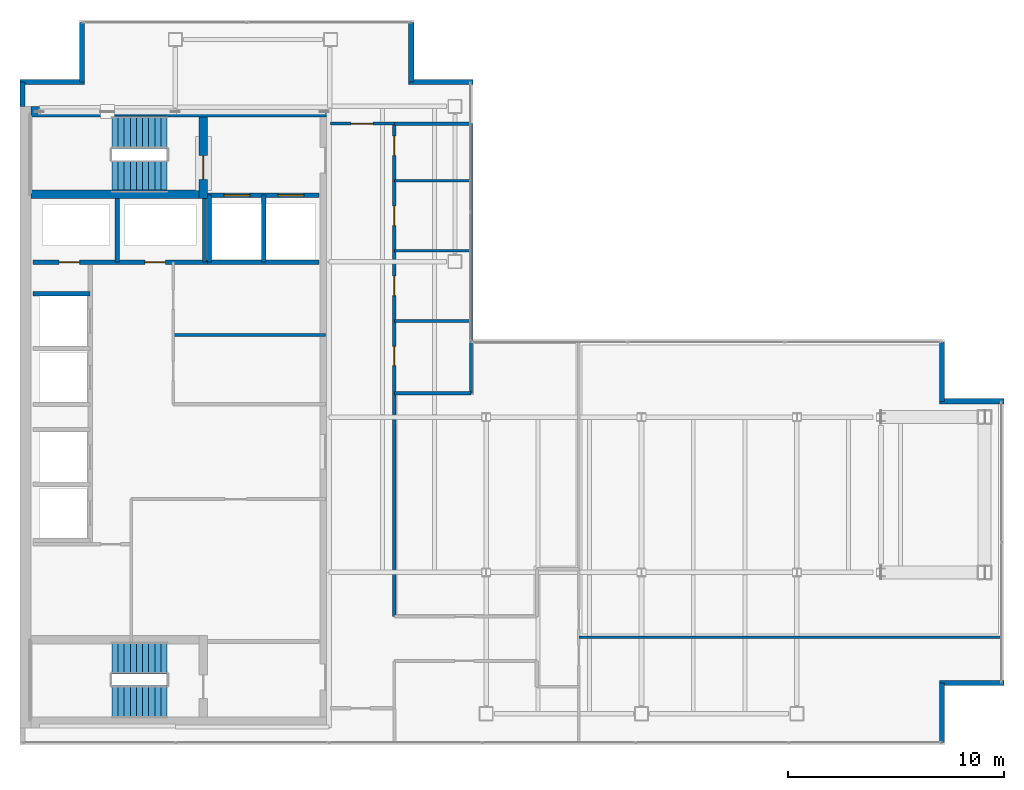
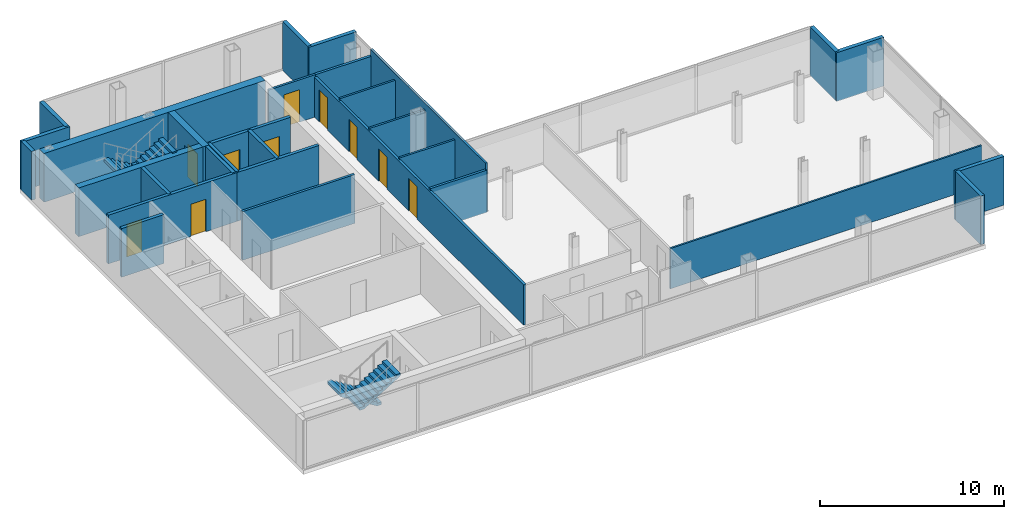
# One storey, part 23 of 24: 30 walls, 10 doors, 4 stair flights, 10 openings, 2 elements without a shape of their own.
"""IFC4 building model written with IfcOpenShell, lengths in metres."""

from ifc_helpers import new_model, si_unit, direction, frame, frame_2d, origin, place, context, subcontext, project, spatial, polyline, rectangle, outline, extrude, material, layer, layer_set, type_object, element, fill, aggregate, save


model = new_model("IFC4")

# Units and contexts
model_context = context("Model", 3, precision=1e-05, world=origin(), true_north=direction((0.0, 1.0)))
body_context = subcontext(model_context, "Body", "Model", "MODEL_VIEW")
ifc_project = project(units=[si_unit("LENGTHUNIT", "METRE"), si_unit("AREAUNIT", "SQUARE_METRE"), si_unit("VOLUMEUNIT", "CUBIC_METRE"), si_unit("PLANEANGLEUNIT", "RADIAN"), si_unit("MASSUNIT", "GRAM", prefix="KILO")], contexts=[model_context])

# Site, building, storey
site_placement = place(None, origin())
site = spatial("IfcSite", under=ifc_project, at=site_placement, CompositionType="ELEMENT")
building_placement = place(site_placement, origin())
building = spatial("IfcBuilding", under=site, at=building_placement, Name="Cobrela Telecom Tower", CompositionType="ELEMENT")
storey_placement = place(building_placement, frame((0.0, 0.0, 241.14990234375)))
storey = spatial("IfcBuildingStorey", under=building, at=storey_placement, Name="L62", CompositionType="ELEMENT", Elevation=241.14990234375)

# Walls
ifc_material_1 = material(Name="Concrete C40/50", Category="concrete")
ifc_layer_1 = layer(ifc_material_1, 0.5)
ifc_layer_set_1 = layer_set([ifc_layer_1], Name="Concrete C40/50")
wall_type_1 = type_object("IfcWallType", Name="WALL-CORE-C40-500", PredefinedType="SHEAR", material=ifc_layer_set_1)
wall_1_placement = place(storey_placement, frame((0.5, 35.75, 0.0), z_axis=(0.0, 0.0, 1.0), x_axis=(1.0, 0.0, 0.0)))
element("IfcWall", 1, at=wall_1_placement, inside=storey, type_object=wall_type_1, Name="L62 North Core Shear Wall", PredefinedType="SHEAR", context=body_context, shape_type="SweptSolid", body=[
    extrude(rectangle(XDim=13.89990234375, YDim=0.5, at=frame_2d((6.949951171875, 0.0))), origin(), (0.0, 0.0, 1.0), 3.239990234375),
])
ifc_layer_2 = layer(ifc_material_1, 0.239990234375)
ifc_layer_set_2 = layer_set([ifc_layer_2], Name="Concrete C40/50")
wall_type_2 = type_object("IfcWallType", Name="WALL-EXT-300", PredefinedType="STANDARD", material=ifc_layer_set_2)
wall_2_placement = place(storey_placement, frame((0.1201171875, 36.0, 0.0), z_axis=(0.0, 0.0, 1.0), x_axis=(0.0, 1.0, 0.0)))
element("IfcWall", 2, at=wall_2_placement, inside=storey, type_object=wall_type_2, Name="L62 Insulated Facade Wall 02", PredefinedType="STANDARD", context=body_context, shape_type="SweptSolid", body=[
    extrude(rectangle(XDim=1.1298828125, YDim=0.239990234375, at=frame_2d((0.56494140625, 0.0))), origin(), (0.0, 0.0, 1.0), 3.239990234375),
])
wall_3_placement = place(storey_placement, frame((0.0, 37.1298828125, 0.0), z_axis=(0.0, 0.0, 1.0), x_axis=(1.0, 0.0, 0.0)))
element("IfcWall", 3, at=wall_3_placement, inside=storey, type_object=wall_type_2, Name="L62 Insulated Facade Wall 03", PredefinedType="STANDARD", context=body_context, shape_type="SweptSolid", body=[
    extrude(rectangle(XDim=2.989990234375, YDim=0.239990234375, at=frame_2d((1.4951171875, 0.0))), origin(), (0.0, 0.0, 1.0), 3.239990234375),
])
for number, where, z_axis, x_axis, name in (
    (4, (2.8701171875, 37.1298828125, 0.0), (0.0, 0.0, 1.0), (0.0, 1.0, 0.0), "L62 Insulated Facade Wall 04"),
    (5, (18.1298828125, 39.8798828125, 0.0), (0.0, 0.0, 1.0), (0.0, -1.0, 0.0), "L62 Insulated Facade Wall 06"),
):
    element("IfcWall", number, at=place(storey_placement, frame(where, z_axis=z_axis, x_axis=x_axis)), inside=storey, type_object=wall_type_2, Name=name, PredefinedType="STANDARD", context=body_context, shape_type="SweptSolid", body=[
        extrude(rectangle(XDim=2.75, YDim=0.239990234375, at=frame_2d((1.375, 0.0))), origin(), (0.0, 0.0, 1.0), 3.239990234375),
    ])
wall_4_placement = place(storey_placement, frame((18.010009765625, 37.1298828125, 0.0), z_axis=(0.0, 0.0, 1.0), x_axis=(1.0, 0.0, 0.0)))
element("IfcWall", 6, at=wall_4_placement, inside=storey, type_object=wall_type_2, Name="L62 Insulated Facade Wall 07", PredefinedType="STANDARD", context=body_context, shape_type="SweptSolid", body=[
    extrude(rectangle(XDim=2.989990234375, YDim=0.239990234375, at=frame_2d((1.4951171875, 0.0))), origin(), (0.0, 0.0, 1.0), 3.239990234375),
])
wall_5_placement = place(storey_placement, frame((42.72998046875, 25.080078125, 0.0), z_axis=(0.0, 0.0, 1.0), x_axis=(0.0, -1.0, 0.0)))
element("IfcWall", 7, at=wall_5_placement, inside=storey, type_object=wall_type_2, Name="L62 Insulated Facade Wall 10", PredefinedType="STANDARD", context=body_context, shape_type="SweptSolid", body=[
    extrude(rectangle(XDim=2.75, YDim=0.239990234375, at=frame_2d((1.375, 0.0))), origin(), (0.0, 0.0, 1.0), 3.239990234375),
])
for number, where, z_axis, x_axis, name in (
    (8, (42.610107421875, 22.330078125, 0.0), (0.0, 0.0, 1.0), (1.0, 0.0, 0.0), "L62 Insulated Facade Wall 11"),
    (9, (45.60009765625, 9.27001953125, 0.0), (0.0, 0.0, 1.0), (-1.0, 0.0, 0.0), "L62 Insulated Facade Wall 13"),
):
    element("IfcWall", number, at=place(storey_placement, frame(where, z_axis=z_axis, x_axis=x_axis)), inside=storey, type_object=wall_type_2, Name=name, PredefinedType="STANDARD", context=body_context, shape_type="SweptSolid", body=[
        extrude(rectangle(XDim=2.989990234375, YDim=0.239990234375, at=frame_2d((1.4951171875, 0.0))), origin(), (0.0, 0.0, 1.0), 3.239990234375),
    ])
wall_6_placement = place(storey_placement, frame((42.72998046875, 9.27001953125, 0.0), z_axis=(0.0, 0.0, 1.0), x_axis=(0.0, -1.0, 0.0)))
element("IfcWall", 10, at=wall_6_placement, inside=storey, type_object=wall_type_2, Name="L62 Insulated Facade Wall 14", PredefinedType="STANDARD", context=body_context, shape_type="SweptSolid", body=[
    extrude(rectangle(XDim=2.75, YDim=0.239990234375, at=frame_2d((1.375, 0.0))), origin(), (0.0, 0.0, 1.0), 3.239990234375),
])
ifc_material_2 = material(Name="Fire-Rated Gypsum Plasterboard")
ifc_layer_3 = layer(ifc_material_2, 0.110107421875)
ifc_layer_set_3 = layer_set([ifc_layer_3], Name="Fire-Rated Gypsum Plasterboard")
wall_type_3 = type_object("IfcWallType", Name="WALL-PART-110", PredefinedType="PARTITIONING", material=ifc_layer_set_3)
wall_7_placement = place(storey_placement, frame((25.89990234375, 11.39990234375, 0.0), z_axis=(0.0, 0.0, 1.0), x_axis=(1.0, 0.0, 0.0)))
element("IfcWall", 11, at=wall_7_placement, inside=storey, type_object=wall_type_3, Name="L62 Interior Partition W-FE-H", PredefinedType="PARTITIONING", context=body_context, shape_type="SweptSolid", body=[
    extrude(rectangle(XDim=19.580078125, YDim=0.110107421875, at=frame_2d((9.7900390625, 0.0))), origin(), (0.0, 0.0, 1.0), 2.676025390625),
])
ifc_layer_4 = layer(ifc_material_2, 0.125)
ifc_layer_set_4 = layer_set([ifc_layer_4], Name="Fire-Rated Gypsum Plasterboard")
wall_type_4 = type_object("IfcWallType", Name="WALL-PART-125", PredefinedType="PARTITIONING", material=ifc_layer_set_4)
for number, where, z_axis, x_axis, name in (
    (12, (17.35009765625, 26.050048828125, 0.0), (0.0, 0.0, 1.0), (1.0, 0.0, 0.0), "L62 Interior Partition W-WCD-1"),
    (13, (17.35009765625, 29.300048828125, 0.0), (0.0, 0.0, 1.0), (1.0, 0.0, 0.0), "L62 Interior Partition W-WCD-2"),
    (14, (17.35009765625, 32.550048828125, 0.0), (0.0, 0.0, 1.0), (1.0, 0.0, 0.0), "L62 Interior Partition W-WCD-3"),
):
    element("IfcWall", number, at=place(storey_placement, frame(where, z_axis=z_axis, x_axis=x_axis)), inside=storey, type_object=wall_type_4, Name=name, PredefinedType="PARTITIONING", context=body_context, shape_type="SweptSolid", body=[
        extrude(rectangle(XDim=3.5498046875, YDim=0.125, at=frame_2d((1.77490234375, 0.0))), origin(), (0.0, 0.0, 1.0), 2.80810546875),
    ])

# Wall, opening, door
ifc_layer_5 = layer(ifc_material_2, 0.135009765625)
ifc_layer_set_5 = layer_set([ifc_layer_5], Name="Fire-Rated Gypsum Plasterboard")
wall_type_5 = type_object("IfcWallType", Name="WALL-PART-135", PredefinedType="PARTITIONING", material=ifc_layer_set_5)
wall_8_placement = place(storey_placement, frame((14.39990234375, 35.199951171875, 0.0), z_axis=(0.0, 0.0, 1.0), x_axis=(1.0, 0.0, 0.0)))
wall_8 = element("IfcWall", 15, at=wall_8_placement, inside=storey, type_object=wall_type_5, Name="L62 Interior Partition W-C-N0", PredefinedType="PARTITIONING", context=body_context, shape_type="SweptSolid", body=[
    extrude(rectangle(XDim=2.9501953125, YDim=0.135009765625, at=frame_2d((1.47509765625, 0.0))), origin(), (0.0, 0.0, 1.0), 2.80810546875),
])
opening_1_placement = place(wall_8_placement, frame((0.949951171875, 0.0, 0.0)))
opening_1 = element("IfcOpeningElement", 16, at=opening_1_placement, cuts=wall_8, Name="Opening DR-31", PredefinedType="OPENING", context=body_context, shape_type="SweptSolid", body=[
    extrude(rectangle(XDim=1.0, YDim=2.14990234375, at=frame_2d((0.5, 1.074951171875))), frame((0.0, 0.07958984375, 0.0), z_axis=(0.0, -1.0, 0.0), x_axis=(1.0, 0.0, 0.0)), (0.0, 0.0, 1.0), 0.158935546875),
])
ifc_material_3 = material(Name="Solid Engineered Oak Timber", Category="wood")
door_type_1 = type_object("IfcDoorType", Name="DOOR-INT-1000", OperationType="SINGLE_SWING_LEFT", PredefinedType="DOOR", material=ifc_material_3)
door_1_placement = place(opening_1_placement, origin())
door_1 = element("IfcDoor", 17, at=door_1_placement, inside=storey, type_object=door_type_1, Name="L62 Door DR-31", OperationType="SINGLE_SWING_LEFT", OverallHeight=2.14990234375, OverallWidth=1.0, PredefinedType="DOOR", context=body_context, shape_type="SweptSolid", body=[
    extrude(rectangle(XDim=1.0, YDim=2.14990234375, at=frame_2d((0.5, 1.074951171875))), frame((0.0, 0.02490234375, 0.0), z_axis=(0.0, -1.0, 0.0), x_axis=(1.0, 0.0, 0.0)), (0.0, 0.0, 1.0), 0.050048828125),
])
fill(opening_1, door_1)

# Walls
wall_9_placement = place(storey_placement, frame((20.89990234375, 22.699951171875, 0.0), z_axis=(0.0, 0.0, 1.0), x_axis=(0.0, 1.0, 0.0)))
element("IfcWall", 18, at=wall_9_placement, inside=storey, type_object=wall_type_5, Name="L62 Interior Partition W-WC-E", PredefinedType="PARTITIONING", context=body_context, shape_type="SweptSolid", body=[
    extrude(rectangle(XDim=12.5, YDim=0.135009765625, at=frame_2d((6.25, 0.0))), origin(), (0.0, 0.0, 1.0), 3.239990234375),
])
ifc_layer_6 = layer(ifc_material_2, 0.14990234375)
ifc_layer_set_6 = layer_set([ifc_layer_6], Name="Fire-Rated Gypsum Plasterboard")
wall_type_6 = type_object("IfcWallType", Name="WALL-PART-150", PredefinedType="PARTITIONING", material=ifc_layer_set_6)
wall_10_placement = place(storey_placement, frame((7.10009765625, 25.39990234375, 0.0), z_axis=(0.0, 0.0, 1.0), x_axis=(1.0, 0.0, 0.0)))
element("IfcWall", 19, at=wall_10_placement, inside=storey, type_object=wall_type_6, Name="L62 Interior Partition CW-RECL-H", PredefinedType="PARTITIONING", context=body_context, shape_type="SweptSolid", body=[
    extrude(rectangle(XDim=7.0498046875, YDim=0.14990234375, at=frame_2d((3.52490234375, 0.0))), origin(), (0.0, 0.0, 1.0), 3.239990234375),
])
wall_11_placement = place(storey_placement, frame((17.35009765625, 22.699951171875, 0.0), z_axis=(0.0, 0.0, 1.0), x_axis=(1.0, 0.0, 0.0)))
element("IfcWall", 20, at=wall_11_placement, inside=storey, type_object=wall_type_6, Name="L62 Interior Partition W-WC-S", PredefinedType="PARTITIONING", context=body_context, shape_type="SweptSolid", body=[
    extrude(rectangle(XDim=3.5498046875, YDim=0.14990234375, at=frame_2d((1.77490234375, 0.0))), origin(), (0.0, 0.0, 1.0), 2.80810546875),
])

# Wall, openings, doors
ifc_layer_7 = layer(ifc_material_2, 0.159912109375)
ifc_layer_set_7 = layer_set([ifc_layer_7], Name="Fire-Rated Gypsum Plasterboard")
wall_type_7 = type_object("IfcWallType", Name="WALL-PART-160", PredefinedType="PARTITIONING", material=ifc_layer_set_7)
wall_12_placement = place(storey_placement, frame((17.35009765625, 12.35009765625, 0.0), z_axis=(0.0, 0.0, 1.0), x_axis=(0.0, 1.0, 0.0)))
wall_12 = element("IfcWall", 21, at=wall_12_placement, inside=storey, type_object=wall_type_7, Name="L62 Interior Partition W-C-E2", PredefinedType="PARTITIONING", context=body_context, shape_type="SweptSolid", body=[
    extrude(rectangle(XDim=22.849853515625, YDim=0.159912109375, at=frame_2d((11.4248046875, 0.0))), origin(), (0.0, 0.0, 1.0), 2.676025390625),
])
opening_2_placement = place(wall_12_placement, frame((11.6298828125, 0.0, 0.0)))
opening_2 = element("IfcOpeningElement", 22, at=opening_2_placement, cuts=wall_12, Name="Opening DR-41", PredefinedType="OPENING", context=body_context, shape_type="SweptSolid", body=[
    extrude(rectangle(XDim=0.89990234375, YDim=2.14990234375, at=frame_2d((0.449951171875, 1.074951171875))), frame((0.0, 0.091796875, 0.0), z_axis=(0.0, -1.0, 0.0), x_axis=(1.0, 0.0, 0.0)), (0.0, 0.0, 1.0), 0.183837890625),
])
opening_3_placement = place(wall_12_placement, frame((14.8798828125, 0.0, 0.0)))
opening_3 = element("IfcOpeningElement", 23, at=opening_3_placement, cuts=wall_12, Name="Opening DR-41", PredefinedType="OPENING", context=body_context, shape_type="SweptSolid", body=[
    extrude(rectangle(XDim=0.89990234375, YDim=2.14990234375, at=frame_2d((0.449951171875, 1.074951171875))), frame((0.0, 0.091796875, 0.0), z_axis=(0.0, -1.0, 0.0), x_axis=(1.0, 0.0, 0.0)), (0.0, 0.0, 1.0), 0.183837890625),
])
opening_4_placement = place(wall_12_placement, frame((18.1201171875, 0.0, 0.0)))
opening_4 = element("IfcOpeningElement", 24, at=opening_4_placement, cuts=wall_12, Name="Opening DR-41", PredefinedType="OPENING", context=body_context, shape_type="SweptSolid", body=[
    extrude(rectangle(XDim=0.89990234375, YDim=2.14990234375, at=frame_2d((0.449951171875, 1.074951171875))), frame((0.0, 0.091796875, 0.0), z_axis=(0.0, -1.0, 0.0), x_axis=(1.0, 0.0, 0.0)), (0.0, 0.0, 1.0), 0.183837890625),
])
opening_5_placement = place(wall_12_placement, frame((21.3701171875, 0.0, 0.0)))
opening_5 = element("IfcOpeningElement", 25, at=opening_5_placement, cuts=wall_12, Name="Opening DR-41", PredefinedType="OPENING", context=body_context, shape_type="SweptSolid", body=[
    extrude(rectangle(XDim=0.89990234375, YDim=2.14990234375, at=frame_2d((0.449951171875, 1.074951171875))), frame((0.0, 0.091796875, 0.0), z_axis=(0.0, -1.0, 0.0), x_axis=(1.0, 0.0, 0.0)), (0.0, 0.0, 1.0), 0.183837890625),
])
door_type_2 = type_object("IfcDoorType", Name="DOOR-INT-900", OperationType="SINGLE_SWING_LEFT", PredefinedType="DOOR", material=ifc_material_3)
door_2_placement = place(opening_2_placement, origin())
door_2 = element("IfcDoor", 26, at=door_2_placement, inside=storey, type_object=door_type_2, Name="L62 Door DR-41", OperationType="SINGLE_SWING_LEFT", OverallHeight=2.14990234375, OverallWidth=0.89990234375, PredefinedType="DOOR", context=body_context, shape_type="SweptSolid", body=[
    extrude(rectangle(XDim=0.89990234375, YDim=2.14990234375, at=frame_2d((0.449951171875, 1.074951171875))), frame((0.0, 0.02490234375, 0.0), z_axis=(0.0, -1.0, 0.0), x_axis=(1.0, 0.0, 0.0)), (0.0, 0.0, 1.0), 0.050048828125),
])
fill(opening_2, door_2)
door_3_placement = place(opening_3_placement, origin())
door_3 = element("IfcDoor", 27, at=door_3_placement, inside=storey, type_object=door_type_2, Name="L62 Door DR-41", OperationType="SINGLE_SWING_RIGHT", OverallHeight=2.14990234375, OverallWidth=0.89990234375, PredefinedType="DOOR", context=body_context, shape_type="SweptSolid", body=[
    extrude(rectangle(XDim=0.89990234375, YDim=2.14990234375, at=frame_2d((0.449951171875, 1.074951171875))), frame((0.0, 0.02490234375, 0.0), z_axis=(0.0, -1.0, 0.0), x_axis=(1.0, 0.0, 0.0)), (0.0, 0.0, 1.0), 0.050048828125),
])
fill(opening_3, door_3)
door_4_placement = place(opening_4_placement, origin())
door_4 = element("IfcDoor", 28, at=door_4_placement, inside=storey, type_object=door_type_2, Name="L62 Door DR-41", OperationType="SINGLE_SWING_LEFT", OverallHeight=2.14990234375, OverallWidth=0.89990234375, PredefinedType="DOOR", context=body_context, shape_type="SweptSolid", body=[
    extrude(rectangle(XDim=0.89990234375, YDim=2.14990234375, at=frame_2d((0.449951171875, 1.074951171875))), frame((0.0, 0.02490234375, 0.0), z_axis=(0.0, -1.0, 0.0), x_axis=(1.0, 0.0, 0.0)), (0.0, 0.0, 1.0), 0.050048828125),
])
fill(opening_4, door_4)
door_5_placement = place(opening_5_placement, origin())
door_5 = element("IfcDoor", 29, at=door_5_placement, inside=storey, type_object=door_type_2, Name="L62 Door DR-41", OperationType="SINGLE_SWING_RIGHT", OverallHeight=2.14990234375, OverallWidth=0.89990234375, PredefinedType="DOOR", context=body_context, shape_type="SweptSolid", body=[
    extrude(rectangle(XDim=0.89990234375, YDim=2.14990234375, at=frame_2d((0.449951171875, 1.074951171875))), frame((0.0, 0.02490234375, 0.0), z_axis=(0.0, -1.0, 0.0), x_axis=(1.0, 0.0, 0.0)), (0.0, 0.0, 1.0), 0.050048828125),
])
fill(opening_5, door_5)

# Wall
wall_13_placement = place(storey_placement, frame((17.35009765625, 35.199951171875, 0.0), z_axis=(0.0, 0.0, 1.0), x_axis=(1.0, 0.0, 0.0)))
element("IfcWall", 30, at=wall_13_placement, inside=storey, type_object=wall_type_7, Name="L62 Interior Partition W-NW-S", PredefinedType="PARTITIONING", context=body_context, shape_type="SweptSolid", body=[
    extrude(rectangle(XDim=3.52978515625, YDim=0.159912109375, at=frame_2d((1.764892578125, 0.0))), origin(), (0.0, 0.0, 1.0), 2.80810546875),
])

# Wall, openings, doors
ifc_layer_8 = layer(ifc_material_2, 0.199951171875)
ifc_layer_set_8 = layer_set([ifc_layer_8], Name="Fire-Rated Gypsum Plasterboard")
wall_type_8 = type_object("IfcWallType", Name="WALL-SHAFT-200", PredefinedType="PARTITIONING", material=ifc_layer_set_8)
wall_14_placement = place(storey_placement, frame((8.699951171875, 31.8798828125, 0.0), z_axis=(0.0, 0.0, 1.0), x_axis=(1.0, 0.0, 0.0)))
wall_14 = element("IfcWall", 31, at=wall_14_placement, inside=storey, type_object=wall_type_8, Name="L62 Shaft Enclosure CW-FFL-S", PredefinedType="PARTITIONING", context=body_context, shape_type="SweptSolid", body=[
    extrude(rectangle(XDim=5.150146484375, YDim=0.199951171875, at=frame_2d((2.5751953125, 0.0))), origin(), (0.0, 0.0, 1.0), 3.239990234375),
])
opening_6_placement = place(wall_14_placement, frame((0.75, 0.0, 0.0)))
opening_6 = element("IfcOpeningElement", 32, at=opening_6_placement, cuts=wall_14, Name="Opening LD-2", PredefinedType="OPENING", context=body_context, shape_type="SweptSolid", body=[
    extrude(rectangle(XDim=1.199951171875, YDim=2.199951171875, at=frame_2d((0.60009765625, 1.10009765625))), frame((0.0, 0.11181640625, 0.0), z_axis=(0.0, -1.0, 0.0), x_axis=(1.0, 0.0, 0.0)), (0.0, 0.0, 1.0), 0.223876953125),
])
opening_7_placement = place(wall_14_placement, frame((3.25, 0.0, 0.0)))
opening_7 = element("IfcOpeningElement", 33, at=opening_7_placement, cuts=wall_14, Name="Opening LD-2", PredefinedType="OPENING", context=body_context, shape_type="SweptSolid", body=[
    extrude(rectangle(XDim=1.199951171875, YDim=2.199951171875, at=frame_2d((0.60009765625, 1.10009765625))), frame((0.0, 0.11181640625, 0.0), z_axis=(0.0, -1.0, 0.0), x_axis=(1.0, 0.0, 0.0)), (0.0, 0.0, 1.0), 0.223876953125),
])
ifc_material_4 = material(Name="Steel ASTM A36", Category="steel")
door_type_3 = type_object("IfcDoorType", Name="DOOR-LD-FFL", OperationType="SINGLE_SWING_LEFT", PredefinedType="DOOR", material=ifc_material_4)
door_6_placement = place(opening_6_placement, origin())
door_6 = element("IfcDoor", 34, at=door_6_placement, inside=storey, type_object=door_type_3, Name="L62 Lift Landing Door LD-2", OperationType="DOUBLE_DOOR_SLIDING", OverallHeight=2.199951171875, OverallWidth=1.199951171875, PredefinedType="DOOR", context=body_context, shape_type="SweptSolid", body=[
    extrude(rectangle(XDim=1.199951171875, YDim=2.199951171875, at=frame_2d((0.60009765625, 1.10009765625))), frame((0.0, 0.02490234375, 0.0), z_axis=(0.0, -1.0, 0.0), x_axis=(1.0, 0.0, 0.0)), (0.0, 0.0, 1.0), 0.050048828125),
])
fill(opening_6, door_6)
door_7_placement = place(opening_7_placement, origin())
door_7 = element("IfcDoor", 35, at=door_7_placement, inside=storey, type_object=door_type_3, Name="L62 Lift Landing Door LD-2", OperationType="DOUBLE_DOOR_SLIDING", OverallHeight=2.199951171875, OverallWidth=1.199951171875, PredefinedType="DOOR", context=body_context, shape_type="SweptSolid", body=[
    extrude(rectangle(XDim=1.199951171875, YDim=2.199951171875, at=frame_2d((0.60009765625, 1.10009765625))), frame((0.0, 0.02490234375, 0.0), z_axis=(0.0, -1.0, 0.0), x_axis=(1.0, 0.0, 0.0)), (0.0, 0.0, 1.0), 0.050048828125),
])
fill(opening_7, door_7)

# Walls
wall_15_placement = place(storey_placement, frame((8.699951171875, 28.780029296875, 0.0), z_axis=(0.0, 0.0, 1.0), x_axis=(1.0, 0.0, 0.0)))
element("IfcWall", 36, at=wall_15_placement, inside=storey, type_object=wall_type_8, Name="L62 Shaft Enclosure CW-FFL-S2", PredefinedType="PARTITIONING", context=body_context, shape_type="SweptSolid", body=[
    extrude(rectangle(XDim=5.150146484375, YDim=0.199951171875, at=frame_2d((2.5751953125, 0.0))), origin(), (0.0, 0.0, 1.0), 3.239990234375),
])
for number, where, z_axis, x_axis, name in (
    (37, (8.780029296875, 28.780029296875, 0.0), (0.0, 0.0, 1.0), (0.0, 1.0, 0.0), "L62 Shaft Enclosure CW-FFL-W"),
    (38, (11.300048828125, 28.780029296875, 0.0), (0.0, 0.0, 1.0), (0.0, 1.0, 0.0), "L62 Shaft Enclosure CW-FFL-M"),
):
    element("IfcWall", number, at=place(storey_placement, frame(where, z_axis=z_axis, x_axis=x_axis)), inside=storey, type_object=wall_type_8, Name=name, PredefinedType="PARTITIONING", context=body_context, shape_type="SweptSolid", body=[
        extrude(rectangle(XDim=3.099853515625, YDim=0.199951171875, at=frame_2d((1.5498046875, 0.0))), origin(), (0.0, 0.0, 1.0), 3.239990234375),
    ])

# Wall, openings, doors
wall_16_placement = place(storey_placement, frame((0.60009765625, 28.780029296875, 0.0), z_axis=(0.0, 0.0, 1.0), x_axis=(1.0, 0.0, 0.0)))
wall_16 = element("IfcWall", 39, at=wall_16_placement, inside=storey, type_object=wall_type_8, Name="L62 Shaft Enclosure CW-RIS-S", PredefinedType="PARTITIONING", context=body_context, shape_type="SweptSolid", body=[
    extrude(rectangle(XDim=8.179931640625, YDim=0.199951171875, at=frame_2d((4.08984375, 0.0))), origin(), (0.0, 0.0, 1.0), 3.239990234375),
])
opening_8_placement = place(wall_16_placement, frame((1.2099609375, 0.0, 0.0)))
opening_8 = element("IfcOpeningElement", 40, at=opening_8_placement, cuts=wall_16, Name="Opening DR-65", PredefinedType="OPENING", context=body_context, shape_type="SweptSolid", body=[
    extrude(rectangle(XDim=0.949951171875, YDim=2.14990234375, at=frame_2d((0.47509765625, 1.074951171875))), frame((0.0, 0.11181640625, 0.0), z_axis=(0.0, -1.0, 0.0), x_axis=(1.0, 0.0, 0.0)), (0.0, 0.0, 1.0), 0.223876953125),
])
opening_9_placement = place(wall_16_placement, frame((5.18994140625, 0.0, 0.0)))
opening_9 = element("IfcOpeningElement", 41, at=opening_9_placement, cuts=wall_16, Name="Opening DR-65", PredefinedType="OPENING", context=body_context, shape_type="SweptSolid", body=[
    extrude(rectangle(XDim=0.949951171875, YDim=2.14990234375, at=frame_2d((0.47509765625, 1.074951171875))), frame((0.0, 0.11181640625, 0.0), z_axis=(0.0, -1.0, 0.0), x_axis=(1.0, 0.0, 0.0)), (0.0, 0.0, 1.0), 0.223876953125),
])
door_type_4 = type_object("IfcDoorType", Name="DOOR-FD60-950", OperationType="SINGLE_SWING_LEFT", PredefinedType="DOOR", material=ifc_material_4)
door_8_placement = place(opening_8_placement, origin())
door_8 = element("IfcDoor", 42, at=door_8_placement, inside=storey, type_object=door_type_4, Name="L62 Door DR-65", OperationType="SINGLE_SWING_LEFT", OverallHeight=2.14990234375, OverallWidth=0.949951171875, PredefinedType="DOOR", context=body_context, shape_type="SweptSolid", body=[
    extrude(rectangle(XDim=0.949951171875, YDim=2.14990234375, at=frame_2d((0.47509765625, 1.074951171875))), frame((0.0, 0.02490234375, 0.0), z_axis=(0.0, -1.0, 0.0), x_axis=(1.0, 0.0, 0.0)), (0.0, 0.0, 1.0), 0.050048828125),
])
fill(opening_8, door_8)
door_9_placement = place(opening_9_placement, origin())
door_9 = element("IfcDoor", 43, at=door_9_placement, inside=storey, type_object=door_type_4, Name="L62 Door DR-65", OperationType="SINGLE_SWING_RIGHT", OverallHeight=2.14990234375, OverallWidth=0.949951171875, PredefinedType="DOOR", context=body_context, shape_type="SweptSolid", body=[
    extrude(rectangle(XDim=0.949951171875, YDim=2.14990234375, at=frame_2d((0.47509765625, 1.074951171875))), frame((0.0, 0.02490234375, 0.0), z_axis=(0.0, -1.0, 0.0), x_axis=(1.0, 0.0, 0.0)), (0.0, 0.0, 1.0), 0.050048828125),
])
fill(opening_9, door_9)

# Walls
for number, where, z_axis, x_axis, name in (
    (44, (4.5, 28.780029296875, 0.0), (0.0, 0.0, 1.0), (0.0, 1.0, 0.0), "L62 Shaft Enclosure CW-RIS-M"),
    (45, (8.550048828125, 28.780029296875, 0.0), (0.0, 0.0, 1.0), (0.0, 1.0, 0.0), "L62 Shaft Enclosure CW-RIS-E"),
):
    element("IfcWall", number, at=place(storey_placement, frame(where, z_axis=z_axis, x_axis=x_axis)), inside=storey, type_object=wall_type_8, Name=name, PredefinedType="PARTITIONING", context=body_context, shape_type="SweptSolid", body=[
        extrude(rectangle(XDim=2.93994140625, YDim=0.199951171875, at=frame_2d((1.469970703125, 0.0))), origin(), (0.0, 0.0, 1.0), 3.239990234375),
    ])
wall_17_placement = place(storey_placement, frame((0.60009765625, 27.320068359375, 0.0), z_axis=(0.0, 0.0, 1.0), x_axis=(1.0, 0.0, 0.0)))
element("IfcWall", 46, at=wall_17_placement, inside=storey, type_object=wall_type_8, Name="L62 Shaft Enclosure CW-PLH-TOP", PredefinedType="PARTITIONING", context=body_context, shape_type="SweptSolid", body=[
    extrude(rectangle(XDim=2.64990234375, YDim=0.199951171875, at=frame_2d((1.324951171875, 0.0))), origin(), (0.0, 0.0, 1.0), 3.239990234375),
])
ifc_layer_9 = layer(ifc_material_1, 0.39990234375)
ifc_layer_set_9 = layer_set([ifc_layer_9], Name="Concrete C40/50")
wall_type_9 = type_object("IfcWallType", Name="WALL-SHAFT-C40-400", PredefinedType="SHEAR", material=ifc_layer_set_9)
wall_18_placement = place(storey_placement, frame((0.5, 31.919921875, 0.0), z_axis=(0.0, 0.0, 1.0), x_axis=(1.0, 0.0, 0.0)))
element("IfcWall", 47, at=wall_18_placement, inside=storey, type_object=wall_type_9, Name="L62 North Stair Shear Wall", PredefinedType="SHEAR", context=body_context, shape_type="SweptSolid", body=[
    extrude(rectangle(XDim=7.800048828125, YDim=0.39990234375, at=frame_2d((3.89990234375, 0.0))), origin(), (0.0, 0.0, 1.0), 3.239990234375),
])

# Wall, opening, door
wall_19_placement = place(storey_placement, frame((8.5, 31.719970703125, 0.0), z_axis=(0.0, 0.0, 1.0), x_axis=(0.0, 1.0, 0.0)))
wall_19 = element("IfcWall", 48, at=wall_19_placement, inside=storey, type_object=wall_type_9, Name="L62 North Stair Lobby Shear Wall", PredefinedType="SHEAR", context=body_context, shape_type="SweptSolid", body=[
    extrude(rectangle(XDim=3.780029296875, YDim=0.39990234375, at=frame_2d((1.89013671875, 0.0))), origin(), (0.0, 0.0, 1.0), 3.239990234375),
])
opening_10_placement = place(wall_19_placement, frame((0.89990234375, 0.0, 0.0)))
opening_10 = element("IfcOpeningElement", 49, at=opening_10_placement, cuts=wall_19, Name="Opening DR-59", PredefinedType="OPENING", context=body_context, shape_type="SweptSolid", body=[
    extrude(rectangle(XDim=1.10009765625, YDim=2.14990234375, at=frame_2d((0.550048828125, 1.074951171875))), frame((0.0, 0.2119140625, 0.0), z_axis=(0.0, -1.0, 0.0), x_axis=(1.0, 0.0, 0.0)), (0.0, 0.0, 1.0), 0.423828125),
])
door_type_5 = type_object("IfcDoorType", Name="DOOR-FD60-1100", OperationType="SINGLE_SWING_LEFT", PredefinedType="DOOR", material=ifc_material_4)
door_10_placement = place(opening_10_placement, origin())
door_10 = element("IfcDoor", 50, at=door_10_placement, inside=storey, type_object=door_type_5, Name="L62 Door DR-59", OperationType="SINGLE_SWING_RIGHT", OverallHeight=2.14990234375, OverallWidth=1.10009765625, PredefinedType="DOOR", context=body_context, shape_type="SweptSolid", body=[
    extrude(rectangle(XDim=1.10009765625, YDim=2.14990234375, at=frame_2d((0.550048828125, 1.074951171875))), frame((0.0, 0.02490234375, 0.0), z_axis=(0.0, -1.0, 0.0), x_axis=(1.0, 0.0, 0.0)), (0.0, 0.0, 1.0), 0.050048828125),
])
fill(opening_10, door_10)

# Stair, stair flights
stair_type = type_object("IfcStairType", Name="STAIR-CORE", PredefinedType="HALF_TURN_STAIR", material=ifc_material_1)
stair_1_placement = place(storey_placement, origin())
stair_1 = element("IfcStair", 51, at=stair_1_placement, inside=storey, type_object=stair_type, Name="L62 Smokeproof Exit Stair ST1", PredefinedType="HALF_TURN_STAIR")
stair_flight_type = type_object("IfcStairFlightType", Name="FLIGHT-CORE", PredefinedType="STRAIGHT", material=ifc_material_1)
stair_flight_1_placement = place(storey_placement, frame((6.820068359375, 34.800048828125, 0.0), z_axis=(0.0, 0.0, 1.0), x_axis=(-1.0, 0.0, 0.0)))
stair_flight_1 = element("IfcStairFlight", 52, at=stair_flight_1_placement, type_object=stair_flight_type, Name="ST1 flight 1", NumberOfRisers=10, NumberOfTreads=9, PredefinedType="STRAIGHT", RiserHeight=0.175, TreadLength=0.285, context=body_context, shape_type="SweptSolid", body=[
    extrude(outline(polyline([(0.0, 0.0), (0.0, 0.175048828125), (0.284912109375, 0.175048828125), (0.284912109375, 0.35009765625), (0.570068359375, 0.35009765625), (0.570068359375, 0.52490234375), (0.85498046875, 0.52490234375), (0.85498046875, 0.699951171875), (1.139892578125, 0.699951171875), (1.139892578125, 0.875), (1.425048828125, 0.875), (1.425048828125, 1.050048828125), (1.7099609375, 1.050048828125), (1.7099609375, 1.22509765625), (1.9951171875, 1.22509765625), (1.9951171875, 1.39990234375), (2.280029296875, 1.39990234375), (2.280029296875, 1.574951171875), (2.56494140625, 1.574951171875), (2.56494140625, 1.75), (2.56494140625, 1.399169921875), (0.286376953125, 0.0), (0.0, 0.0)])), frame((0.0, 0.75, 0.0), z_axis=(0.0, -1.0, 0.0), x_axis=(1.0, 0.0, 0.0)), (0.0, 0.0, 1.0), 1.5),
])
stair_flight_2_placement = place(storey_placement, frame((4.2548828125, 32.75, 1.75), z_axis=(0.0, 0.0, 1.0), x_axis=(1.0, 0.0, 0.0)))
stair_flight_2 = element("IfcStairFlight", 53, at=stair_flight_2_placement, type_object=stair_flight_type, Name="ST1 flight 2", NumberOfRisers=10, NumberOfTreads=9, PredefinedType="STRAIGHT", RiserHeight=0.175, TreadLength=0.285, context=body_context, shape_type="SweptSolid", body=[
    extrude(outline(polyline([(0.0, 0.0), (0.0, 0.175048828125), (0.284912109375, 0.175048828125), (0.284912109375, 0.35009765625), (0.570068359375, 0.35009765625), (0.570068359375, 0.52490234375), (0.85498046875, 0.52490234375), (0.85498046875, 0.699951171875), (1.139892578125, 0.699951171875), (1.139892578125, 0.875), (1.425048828125, 0.875), (1.425048828125, 1.050048828125), (1.7099609375, 1.050048828125), (1.7099609375, 1.22509765625), (1.9951171875, 1.22509765625), (1.9951171875, 1.39990234375), (2.280029296875, 1.39990234375), (2.280029296875, 1.574951171875), (2.56494140625, 1.574951171875), (2.56494140625, 1.75), (2.56494140625, 1.399169921875), (0.286376953125, 0.0), (0.0, 0.0)])), frame((0.0, 0.75, 0.0), z_axis=(0.0, -1.0, 0.0), x_axis=(1.0, 0.0, 0.0)), (0.0, 0.0, 1.0), 1.5),
])
aggregate(stair_1, [stair_flight_1, stair_flight_2])

stair_2_placement = place(storey_placement, origin())
stair_2 = element("IfcStair", 54, at=stair_2_placement, inside=storey, type_object=stair_type, Name="L62 Smokeproof Exit Stair ST2", PredefinedType="HALF_TURN_STAIR")
stair_flight_3_placement = place(storey_placement, frame((6.820068359375, 10.449951171875, 0.0), z_axis=(0.0, 0.0, 1.0), x_axis=(-1.0, 0.0, 0.0)))
stair_flight_3 = element("IfcStairFlight", 55, at=stair_flight_3_placement, type_object=stair_flight_type, Name="ST2 flight 1", NumberOfRisers=10, NumberOfTreads=9, PredefinedType="STRAIGHT", RiserHeight=0.175, TreadLength=0.285, context=body_context, shape_type="SweptSolid", body=[
    extrude(outline(polyline([(0.0, 0.0), (0.0, 0.175048828125), (0.284912109375, 0.175048828125), (0.284912109375, 0.35009765625), (0.570068359375, 0.35009765625), (0.570068359375, 0.52490234375), (0.85498046875, 0.52490234375), (0.85498046875, 0.699951171875), (1.139892578125, 0.699951171875), (1.139892578125, 0.875), (1.425048828125, 0.875), (1.425048828125, 1.050048828125), (1.7099609375, 1.050048828125), (1.7099609375, 1.22509765625), (1.9951171875, 1.22509765625), (1.9951171875, 1.39990234375), (2.280029296875, 1.39990234375), (2.280029296875, 1.574951171875), (2.56494140625, 1.574951171875), (2.56494140625, 1.75), (2.56494140625, 1.399169921875), (0.286376953125, 0.0), (0.0, 0.0)])), frame((0.0, 0.75, 0.0), z_axis=(0.0, -1.0, 0.0), x_axis=(1.0, 0.0, 0.0)), (0.0, 0.0, 1.0), 1.5),
])
stair_flight_4_placement = place(storey_placement, frame((4.2548828125, 8.39990234375, 1.75), z_axis=(0.0, 0.0, 1.0), x_axis=(1.0, 0.0, 0.0)))
stair_flight_4 = element("IfcStairFlight", 56, at=stair_flight_4_placement, type_object=stair_flight_type, Name="ST2 flight 2", NumberOfRisers=10, NumberOfTreads=9, PredefinedType="STRAIGHT", RiserHeight=0.175, TreadLength=0.285, context=body_context, shape_type="SweptSolid", body=[
    extrude(outline(polyline([(0.0, 0.0), (0.0, 0.175048828125), (0.284912109375, 0.175048828125), (0.284912109375, 0.35009765625), (0.570068359375, 0.35009765625), (0.570068359375, 0.52490234375), (0.85498046875, 0.52490234375), (0.85498046875, 0.699951171875), (1.139892578125, 0.699951171875), (1.139892578125, 0.875), (1.425048828125, 0.875), (1.425048828125, 1.050048828125), (1.7099609375, 1.050048828125), (1.7099609375, 1.22509765625), (1.9951171875, 1.22509765625), (1.9951171875, 1.39990234375), (2.280029296875, 1.39990234375), (2.280029296875, 1.574951171875), (2.56494140625, 1.574951171875), (2.56494140625, 1.75), (2.56494140625, 1.399169921875), (0.286376953125, 0.0), (0.0, 0.0)])), frame((0.0, 0.75, 0.0), z_axis=(0.0, -1.0, 0.0), x_axis=(1.0, 0.0, 0.0)), (0.0, 0.0, 1.0), 1.5),
])
aggregate(stair_2, [stair_flight_3, stair_flight_4])

save(model, "model.ifc")
